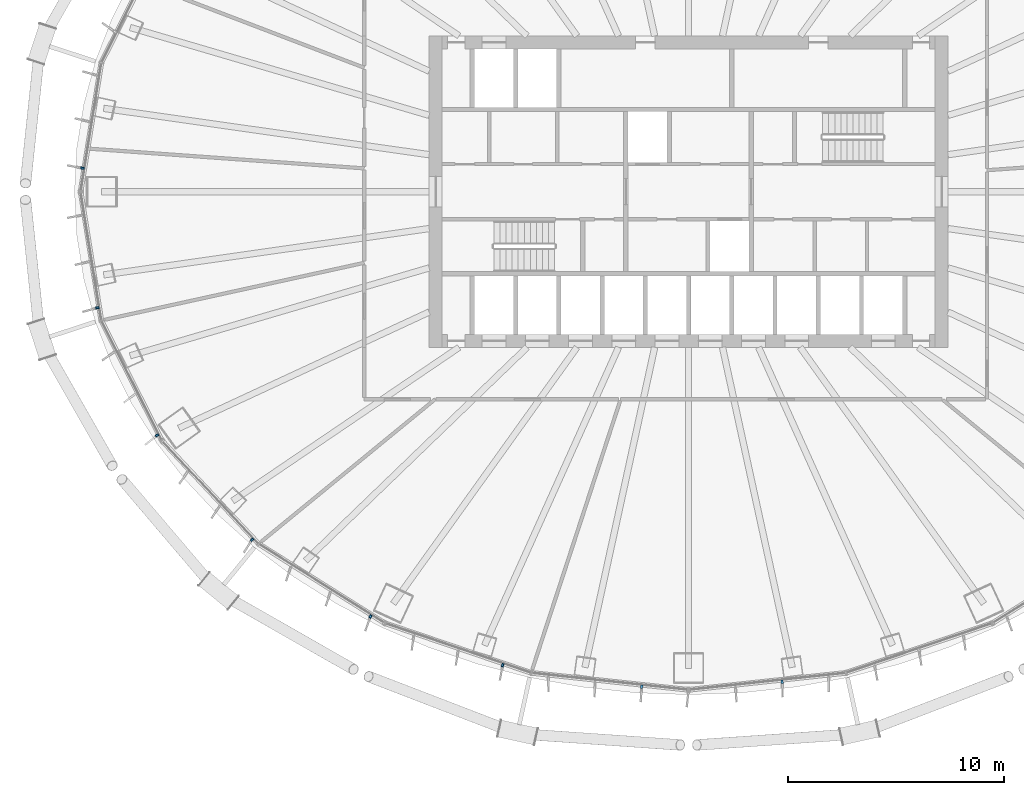
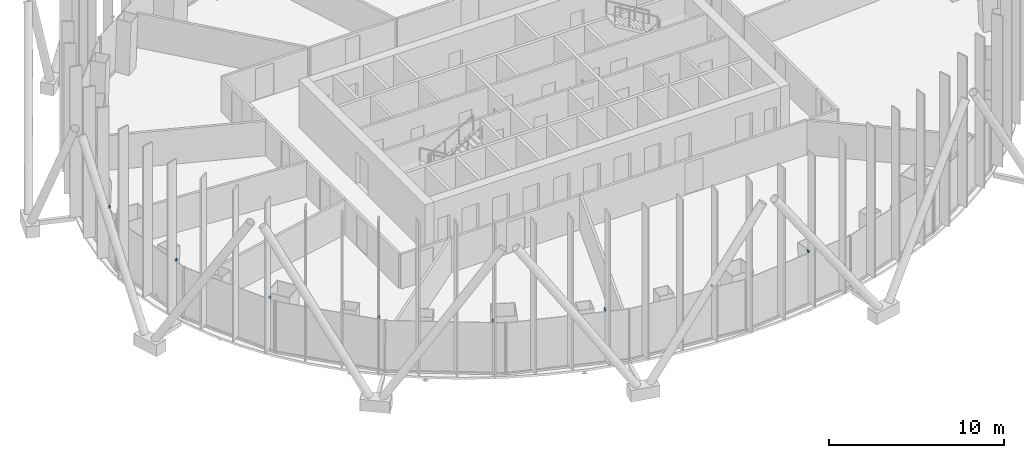
# One storey, part 15 of 22: 8 discrete accessories.
"""IFC4 building model written with IfcOpenShell, lengths in metres."""

from ifc_helpers import new_model, si_unit, direction, frame, origin, origin_2d, place, context, subcontext, project, spatial, rectangle, extrude, material, type_object, element, save


model = new_model("IFC4")

# Units and contexts
model_context = context("Model", 3, precision=1e-05, world=origin(), true_north=direction((0.0, 1.0)))
body_context = subcontext(model_context, "Body", "Model", "MODEL_VIEW")
ifc_project = project(units=[si_unit("LENGTHUNIT", "METRE"), si_unit("AREAUNIT", "SQUARE_METRE"), si_unit("VOLUMEUNIT", "CUBIC_METRE"), si_unit("PLANEANGLEUNIT", "RADIAN"), si_unit("MASSUNIT", "GRAM", prefix="KILO")], contexts=[model_context])

# Site, building, storey
site_placement = place(None, origin())
site = spatial("IfcSite", under=ifc_project, at=site_placement, CompositionType="ELEMENT")
building_placement = place(site_placement, origin())
building = spatial("IfcBuilding", under=site, at=building_placement, Name="Siaravel Broadcast Tower", CompositionType="ELEMENT")
storey_placement = place(building_placement, frame((0.0, 0.0, 37.10009765625)))
storey = spatial("IfcBuildingStorey", under=building, at=storey_placement, Name="L07", CompositionType="ELEMENT", Elevation=37.10009765625)

# Discrete accessories
ifc_material = material(Name="Stainless steel 316", Category="steel")
discrete_accessory_type = type_object("IfcDiscreteAccessoryType", Name="Stainless steel fin bracket", PredefinedType="USERDEFINED", material=ifc_material)
for number, where, z_axis, x_axis, name in (
    (1, (-28.03271484375, 1.0859375, 3.68994140625), (0.0, 0.0, 1.0), (-0.987329198, 0.158685394, 0.0), "Fin bracket L07-37"),
    (2, (-27.34375, -5.372802734375, 3.68994140625), (0.0, 0.0, 1.0), (-0.987329198, -0.158685394, 0.0), "Fin bracket L07-40"),
    (3, (-24.576171875, -11.269287109375, 3.68994140625), (0.0, 0.0, 1.0), (-0.892392151, -0.451260732, 0.0), "Fin bracket L07-43"),
    (4, (-20.185791015625, -16.096923828125, 3.68994140625), (0.0, 0.0, 1.0), (-0.729804415, -0.683655992, 0.0), "Fin bracket L07-46"),
    (5, (-14.7119140625, -19.6474609375, 3.68994140625), (0.0, 0.0, 1.0), (-0.532149452, -0.846650436, 0.0), "Fin bracket L07-49"),
    (6, (-8.597900390625, -21.90087890625, 3.68994140625), (0.0, 0.0, 1.0), (-0.321300635, -0.946977245, 0.0), "Fin bracket L07-52"),
    (7, (-2.16796875, -22.89599609375, 3.68994140625), (0.0, 0.0, 1.0), (-0.107216783, -0.994235667, 0.0), "Fin bracket L07-55"),
    (8, (4.326416015625, -22.663330078125, 3.68994140625), (0.0, 0.0, 1.0), (0.107216783, -0.994235667, 0.0), "Fin bracket L07-58"),
):
    element("IfcDiscreteAccessory", number, at=place(storey_placement, frame(where, z_axis=z_axis, x_axis=x_axis)), inside=storey, type_object=discrete_accessory_type, Name=name, ObjectType="BRACKET", PredefinedType="USERDEFINED", context=body_context, shape_type="SweptSolid", body=[
        extrude(rectangle(XDim=0.159912109375, YDim=0.10009765625, at=origin_2d()), origin(), (0.0, 0.0, 1.0), 0.139892578125),
    ])

save(model, "model.ifc")
